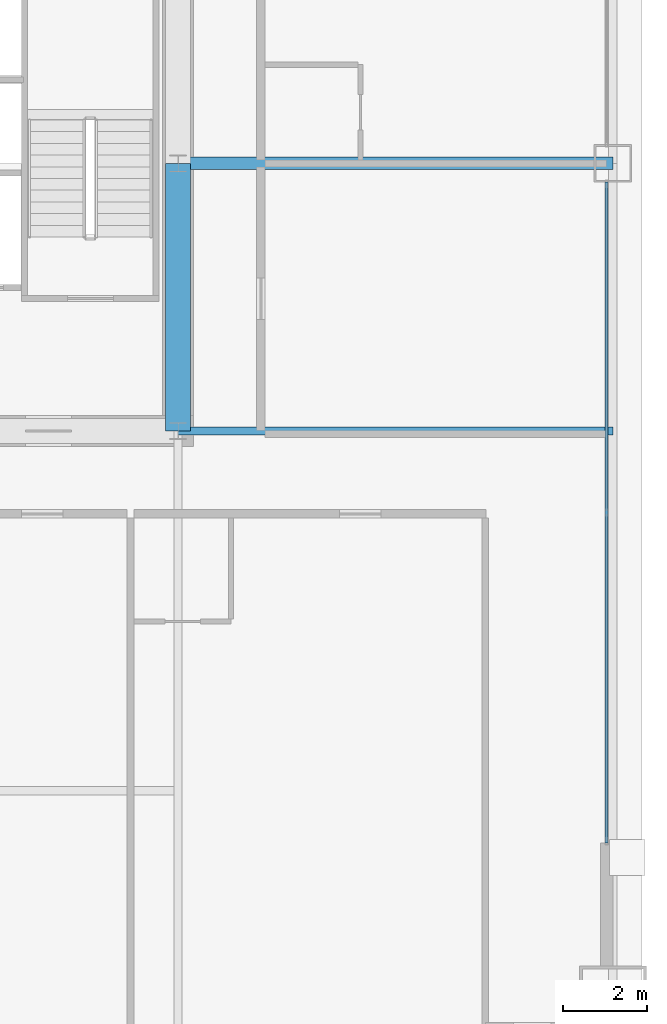
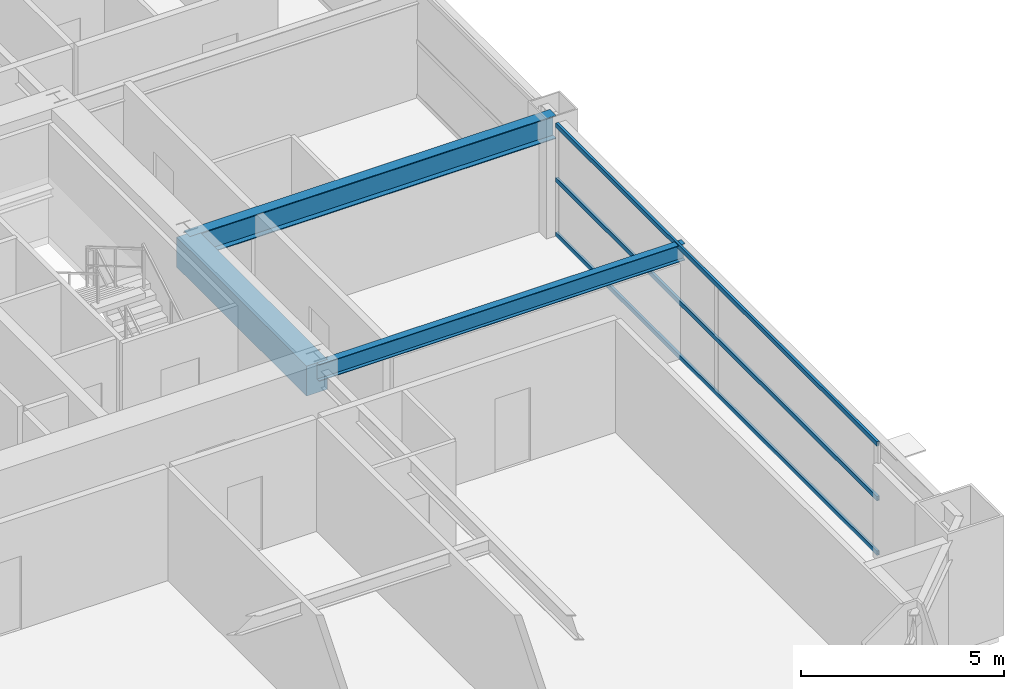
# One storey, part 19 of 39: 3 beams, 3 members, 1 element without a shape of its own.
"""IFC4 building model written with IfcOpenShell, lengths in metres."""

from ifc_helpers import new_model, si_unit, direction, frame, origin, origin_2d, place, context, subcontext, project, spatial, rectangle, hollow_rectangle, i_section, extrude, source, transform, mapped, material, layer, layer_set, material_profile, profile_set, type_object, element, aggregate, save


model = new_model("IFC4")

# Units and contexts
model_context = context("Model", 3, precision=1e-05, world=origin(), true_north=direction((0.0, 1.0)))
body_context = subcontext(model_context, "Body", "Model", "MODEL_VIEW")
ifc_project = project(units=[si_unit("LENGTHUNIT", "METRE"), si_unit("AREAUNIT", "SQUARE_METRE"), si_unit("VOLUMEUNIT", "CUBIC_METRE"), si_unit("PLANEANGLEUNIT", "RADIAN"), si_unit("MASSUNIT", "GRAM", prefix="KILO"), si_unit("THERMODYNAMICTEMPERATUREUNIT", "KELVIN"), si_unit("POWERUNIT", "WATT")], contexts=[model_context])

# Site, building, storey
site_placement = place(None, origin())
site = spatial("IfcSite", under=ifc_project, at=site_placement, CompositionType="ELEMENT")
building_placement = place(site_placement, origin())
building = spatial("IfcBuilding", under=site, at=building_placement, Name="Yuzanri Waterfront Tower", CompositionType="ELEMENT")
storey_placement = place(building_placement, frame((0.0, 0.0, 148.800048828125)))
storey = spatial("IfcBuildingStorey", under=building, at=storey_placement, Name="L39", CompositionType="ELEMENT", Elevation=148.800048828125)

# Beams
ifc_material_1 = material(Name="Concrete C60", Category="concrete")
ifc_material_profile_1 = material_profile(ifc_material_1, rectangle(XDim=0.60009765625, YDim=0.89990234375, at=origin_2d()), Name="RC 600x900")
ifc_profile_set_1 = profile_set([ifc_material_profile_1], Name="Concrete C60")
beam_type_1 = type_object("IfcBeamType", Name="Core Coupling Lintel Concrete C60 600x900", PredefinedType="LINTEL", material=ifc_profile_set_1)
shared_shape_1 = source(origin(), body_context, "Body", "SweptSolid", [
    extrude(rectangle(XDim=0.60009765625, YDim=0.89990234375, at=origin_2d()), origin(), (0.0, 0.0, 1.0), 6.400146484375),
])
beam_1_placement = place(storey_placement, frame((50.199951171875, 19.39990234375, 2.929931640625), z_axis=(0.0, 1.0, 0.0), x_axis=(-1.0, 0.0, 0.0)))
element("IfcBeam", 1, at=beam_1_placement, inside=storey, type_object=beam_type_1, Name="L39 Core Tie Beam CE1", PredefinedType="LINTEL", context=body_context, shape_type="MappedRepresentation", body=[
    mapped(shared_shape_1, transform((0.0, 0.0, 0.0), scale=1.0)),
])
ifc_material_2 = material(Name="Steel Q355B", Category="steel")
ifc_material_profile_2 = material_profile(ifc_material_2, i_section(OverallWidth=0.300048828125, OverallDepth=0.699951171875, WebThickness=0.012939453125, FlangeThickness=0.02392578125, at=origin_2d()), Name="HN 700x300x13x24")
ifc_profile_set_2 = profile_set([ifc_material_profile_2], Name="Steel Q355B")
beam_type_2 = type_object("IfcBeamType", Name="Primary Floor Girder Q355B HN 700x300", PredefinedType="BEAM", material=ifc_profile_set_2)
shared_shape_2 = source(origin(), body_context, "Body", "SweptSolid", [
    extrude(i_section(OverallWidth=0.300048828125, OverallDepth=0.699951171875, WebThickness=0.012939453125, FlangeThickness=0.02392578125, at=origin_2d()), origin(), (0.0, 0.0, 1.0), 10.400146484375),
])
beam_2_placement = place(storey_placement, frame((50.199951171875, 25.800048828125, 3.030029296875), z_axis=(1.0, 0.0, 0.0), x_axis=(0.0, 1.0, 0.0)))
element("IfcBeam", 2, at=beam_2_placement, inside=storey, type_object=beam_type_2, Name="L39 East Grid Girder", PredefinedType="BEAM", context=body_context, shape_type="MappedRepresentation", body=[
    mapped(shared_shape_2, transform((0.0, 0.0, 0.0), scale=1.0)),
])
ifc_material_3 = material(Name="Steel Q355B", Category="steel")
ifc_material_profile_3 = material_profile(ifc_material_3, i_section(OverallWidth=0.199951171875, OverallDepth=0.5, WebThickness=0.010009765625, FlangeThickness=0.01611328125, at=origin_2d()), Name="HN 500x200x10x16")
ifc_profile_set_3 = profile_set([ifc_material_profile_3], Name="Steel Q355B")
beam_type_3 = type_object("IfcBeamType", Name="Secondary Floor Beam Q355B HN 500x200", PredefinedType="BEAM", material=ifc_profile_set_3)
shared_shape_3 = source(origin(), body_context, "Body", "SweptSolid", [
    extrude(i_section(OverallWidth=0.199951171875, OverallDepth=0.5, WebThickness=0.010009765625, FlangeThickness=0.01611328125, at=origin_2d()), origin(), (0.0, 0.0, 1.0), 10.400146484375),
])
beam_3_placement = place(storey_placement, frame((50.199951171875, 19.39990234375, 3.1298828125), z_axis=(1.0, 0.0, 0.0), x_axis=(0.0, 1.0, 0.0)))
element("IfcBeam", 3, at=beam_3_placement, inside=storey, type_object=beam_type_3, Name="L39 East-South Core Line Beam", PredefinedType="BEAM", context=body_context, shape_type="MappedRepresentation", body=[
    mapped(shared_shape_3, transform((0.0, 0.0, 0.0), scale=1.0)),
])

# Curtain wall, members
ifc_material_4 = material(Name="Anodized Architectural Bronze", Category="metal")
ifc_layer = layer(ifc_material_4, 0.159912109375)
ifc_layer_set = layer_set([ifc_layer], Name="Anodized Architectural Bronze")
curtain_wall_type = type_object("IfcCurtainWallType", Name="Anodized Bronze Hotel Upper-Tier Solar-Control Unitized Curtain Wall 7800", PredefinedType="NOTDEFINED", material=ifc_layer_set)
curtain_wall_placement = place(storey_placement, origin())
curtain_wall = element("IfcCurtainWall", 4, at=curtain_wall_placement, inside=storey, type_object=curtain_wall_type, Name="L39 Curtain Wall CW-L39-EL", PredefinedType="NOTDEFINED")
ifc_material_5 = material(Name="Anodized Architectural Bronze", Category="metal")
ifc_material_profile_4 = material_profile(ifc_material_5, hollow_rectangle(XDim=0.070068359375, YDim=0.135009765625, WallThickness=0.00341796875, at=origin_2d()), Name="CWT 70x135")
ifc_profile_set_4 = profile_set([ifc_material_profile_4], Name="Anodized Architectural Bronze")
member_type = type_object("IfcMemberType", Name="Anodized Bronze Standard Curtain-Wall Transom 70x135", PredefinedType="USERDEFINED", material=ifc_profile_set_4)
shared_shape_4 = source(origin(), body_context, "Body", "SweptSolid", [
    extrude(hollow_rectangle(XDim=0.070068359375, YDim=0.135009765625, WallThickness=0.00341796875, at=origin_2d()), origin(), (0.0, 0.0, 1.0), 15.800048828125),
])
member_1_placement = place(storey_placement, frame((60.449951171875, 9.550048828125, 0.050048828125), z_axis=(0.0, 1.0, 0.0), x_axis=(-1.0, 0.0, 0.0)))
member_1 = element("IfcMember", 5, at=member_1_placement, type_object=member_type, Name="CW-L39-EL Transom 1", ObjectType="TRANSOM", PredefinedType="USERDEFINED", context=body_context, shape_type="MappedRepresentation", body=[
    mapped(shared_shape_4, transform((0.0, 0.0, 0.0), scale=1.0)),
])
member_2_placement = place(storey_placement, frame((60.449951171875, 9.550048828125, 1.68994140625), z_axis=(0.0, 1.0, 0.0), x_axis=(-1.0, 0.0, 0.0)))
member_2 = element("IfcMember", 6, at=member_2_placement, type_object=member_type, Name="CW-L39-EL Transom 2", ObjectType="TRANSOM", PredefinedType="USERDEFINED", context=body_context, shape_type="MappedRepresentation", body=[
    mapped(shared_shape_4, transform((0.0, 0.0, 0.0), scale=1.0)),
])
member_3_placement = place(storey_placement, frame((60.449951171875, 9.550048828125, 3.329833984375), z_axis=(0.0, 1.0, 0.0), x_axis=(-1.0, 0.0, 0.0)))
member_3 = element("IfcMember", 7, at=member_3_placement, type_object=member_type, Name="CW-L39-EL Transom 3", ObjectType="TRANSOM", PredefinedType="USERDEFINED", context=body_context, shape_type="MappedRepresentation", body=[
    mapped(shared_shape_4, transform((0.0, 0.0, 0.0), scale=1.0)),
])
aggregate(curtain_wall, [member_1, member_2, member_3])

save(model, "model.ifc")
